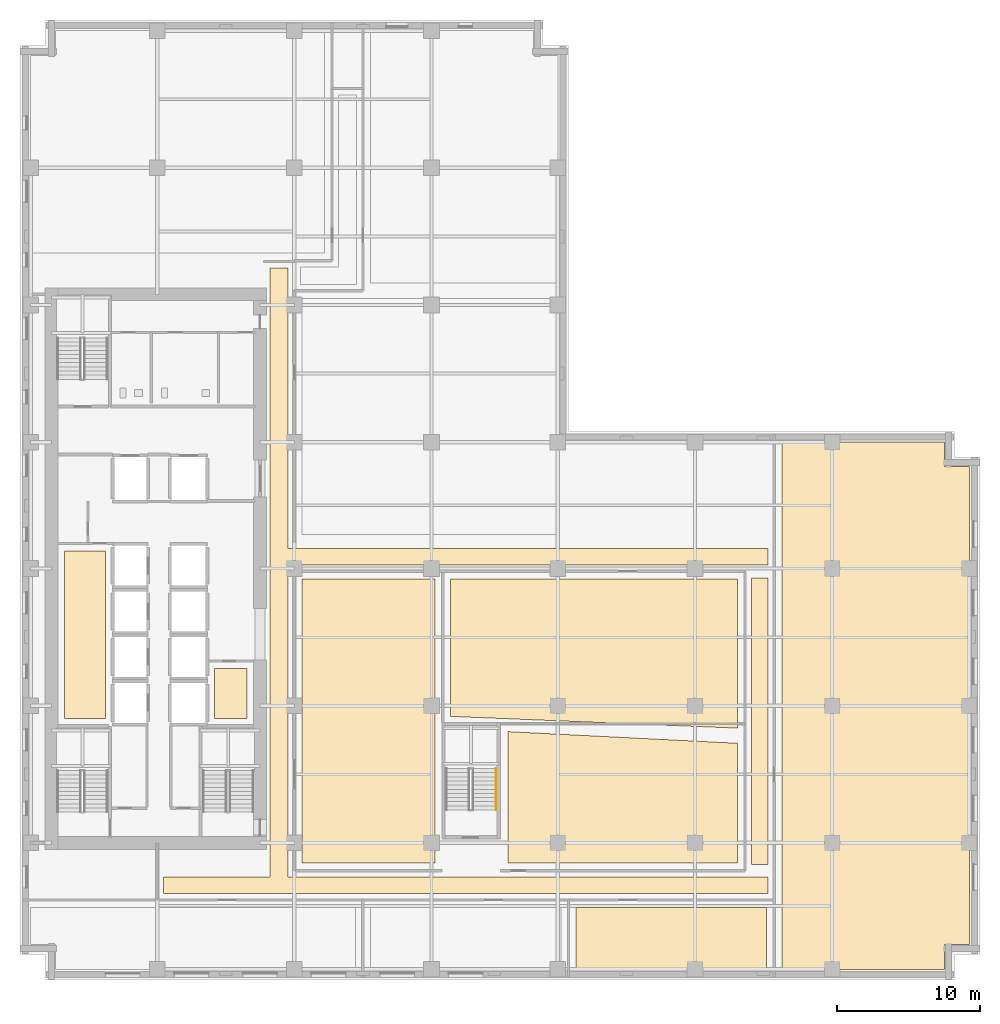
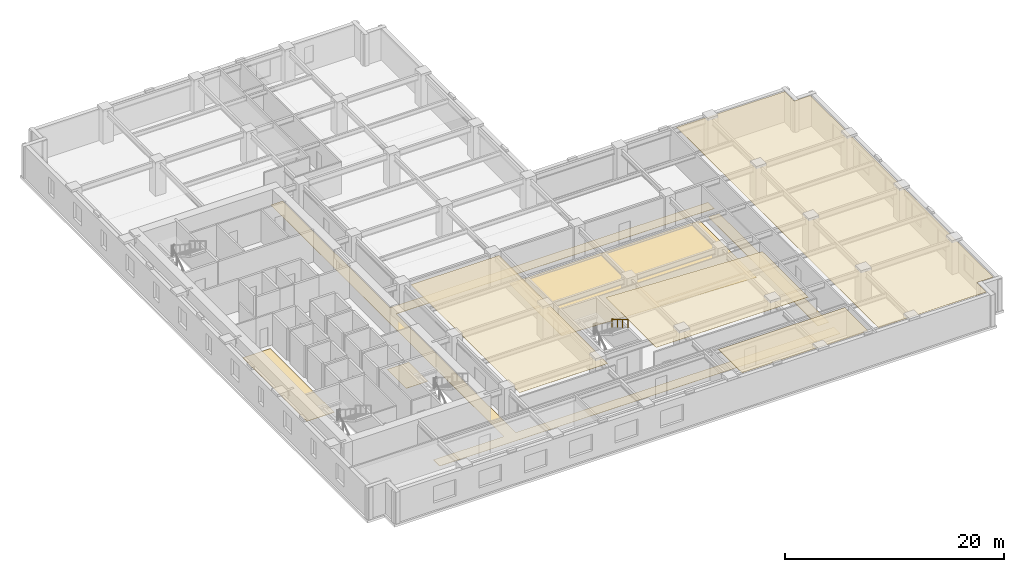
# One storey, part 10 of 13: 9 coverings, 1 railing.
"""IFC4 building model written with IfcOpenShell, lengths in metres."""

from ifc_helpers import new_model, si_unit, direction, frame, origin, origin_2d, place, context, subcontext, project, spatial, polyline, circle, outline, extrude, material, layer, layer_set, type_object, element, save


model = new_model("IFC4")

# Units and contexts
model_context = context("Model", 3, precision=1e-05, world=origin(), true_north=direction((0.0, 1.0)))
body_context = subcontext(model_context, "Body", "Model", "MODEL_VIEW")
ifc_project = project(units=[si_unit("LENGTHUNIT", "METRE"), si_unit("AREAUNIT", "SQUARE_METRE"), si_unit("VOLUMEUNIT", "CUBIC_METRE"), si_unit("PLANEANGLEUNIT", "RADIAN"), si_unit("MASSUNIT", "GRAM", prefix="KILO")], contexts=[model_context])

# Site, building, storey
site_placement = place(None, origin())
site = spatial("IfcSite", under=ifc_project, at=site_placement, CompositionType="ELEMENT")
building_placement = place(site_placement, origin())
building = spatial("IfcBuilding", under=site, at=building_placement, Name="Norrvale University Quadrangle", CompositionType="ELEMENT")
storey_placement = place(building_placement, frame((0.0, 0.0, 69.800048828125)))
storey = spatial("IfcBuildingStorey", under=building, at=storey_placement, Name="L17", CompositionType="ELEMENT", Elevation=69.800048828125)

# Coverings
ifc_material_1 = material(Name="Perforated Acoustic Mineral Ceiling")
ifc_layer_1 = layer(ifc_material_1, 0.02490234375, Name="Perforated Acoustic Mineral Ceiling")
ifc_layer_set_1 = layer_set([ifc_layer_1], Name="Perforated Acoustic Mineral Ceiling")
covering_type_1 = type_object("IfcCoveringType", Name="Covering Acoustic Ceiling 25", PredefinedType="CEILING", material=ifc_layer_set_1)
covering_1_placement = place(storey_placement, frame((0.0, 0.0, 3.514892578125)))
element("IfcCovering", 1, at=covering_1_placement, inside=storey, type_object=covering_type_1, Name="Acoustic Ceiling RM-L17-S03", PredefinedType="CEILING", context=body_context, shape_type="SweptSolid", body=[
    extrude(outline(polyline([(38.929931640625, 5.070068359375), (52.27001953125, 5.070068359375), (52.27001953125, 0.75), (38.929931640625, 0.75), (38.929931640625, 5.070068359375)])), origin(), (0.0, 0.0, 1.0), 0.025146484375),
])
covering_2_placement = place(storey_placement, frame((0.0, 0.0, 3.514892578125)))
element("IfcCovering", 2, at=covering_2_placement, inside=storey, type_object=covering_type_1, Name="Acoustic Ceiling RM-L17-E01", PredefinedType="CEILING", context=body_context, shape_type="SweptSolid", body=[
    extrude(outline(polyline([(53.330078125, 0.75), (53.330078125, 37.64990234375), (64.72998046875, 37.64990234375), (64.72998046875, 35.929931640625), (66.449951171875, 35.929931640625), (66.449951171875, 2.469970703125), (64.72998046875, 2.469970703125), (64.72998046875, 0.75), (53.330078125, 0.75)])), origin(), (0.0, 0.0, 1.0), 0.025146484375),
])
covering_3_placement = place(storey_placement, frame((0.0, 0.0, 3.514892578125)))
element("IfcCovering", 3, at=covering_3_placement, inside=storey, type_object=covering_type_1, Name="Acoustic Ceiling RM-L17-IW1", PredefinedType="CEILING", context=body_context, shape_type="SweptSolid", body=[
    extrude(outline(polyline([(19.72998046875, 8.179931640625), (19.72998046875, 28.070068359375), (29.050048828125, 28.070068359375), (29.050048828125, 8.179931640625), (19.72998046875, 8.179931640625)])), origin(), (0.0, 0.0, 1.0), 0.025146484375),
])
covering_4_placement = place(storey_placement, frame((0.0, 0.0, 3.514892578125)))
element("IfcCovering", 4, at=covering_4_placement, inside=storey, type_object=covering_type_1, Name="Acoustic Ceiling RM-L17-ISE", PredefinedType="CEILING", context=body_context, shape_type="SweptSolid", body=[
    extrude(outline(polyline([(34.14990234375, 8.179931640625), (34.14990234375, 17.386962890625), (50.219970703125, 16.572021484375), (50.219970703125, 8.179931640625), (34.14990234375, 8.179931640625)])), origin(), (0.0, 0.0, 1.0), 0.025146484375),
])
ifc_material_2 = material(Name="Polished Terrazzo Flooring")
ifc_layer_2 = layer(ifc_material_2, 0.02490234375, Name="Polished Terrazzo Flooring")
ifc_layer_set_2 = layer_set([ifc_layer_2], Name="Polished Terrazzo Flooring")
covering_type_2 = type_object("IfcCoveringType", Name="Covering Terrazzo Floor 30", PredefinedType="FLOORING", material=ifc_layer_set_2)
covering_5_placement = place(storey_placement, origin())
element("IfcCovering", 5, at=covering_5_placement, inside=storey, type_object=covering_type_2, Name="Terrazzo Flooring RM-L17-JAN", PredefinedType="FLOORING", context=body_context, shape_type="SweptSolid", body=[
    extrude(outline(polyline([(13.60009765625, 18.300048828125), (13.60009765625, 21.800048828125), (15.89990234375, 21.800048828125), (15.89990234375, 18.300048828125), (13.60009765625, 18.300048828125)])), origin(), (0.0, 0.0, 1.0), 0.02490234375),
])
covering_6_placement = place(storey_placement, origin())
element("IfcCovering", 6, at=covering_6_placement, inside=storey, type_object=covering_type_2, Name="Terrazzo Flooring RM-L17-WSTOR", PredefinedType="FLOORING", context=body_context, shape_type="SweptSolid", body=[
    extrude(outline(polyline([(3.10009765625, 18.300048828125), (3.10009765625, 30.030029296875), (6.0, 30.030029296875), (6.0, 18.300048828125), (3.10009765625, 18.300048828125)])), origin(), (0.0, 0.0, 1.0), 0.02490234375),
])
covering_7_placement = place(storey_placement, origin())
element("IfcCovering", 7, at=covering_7_placement, inside=storey, type_object=covering_type_2, Name="Terrazzo Flooring RM-L17-CORR1", PredefinedType="FLOORING", context=body_context, shape_type="SweptSolid", body=[
    extrude(outline(polyline([(10.050048828125, 6.050048828125), (10.050048828125, 7.199951171875), (17.5, 7.199951171875), (17.5, 49.85009765625), (18.75, 49.85009765625), (18.75, 30.199951171875), (52.35009765625, 30.199951171875), (52.35009765625, 29.050048828125), (18.75, 29.050048828125), (18.75, 7.199951171875), (52.35009765625, 7.199951171875), (52.35009765625, 6.050048828125), (10.050048828125, 6.050048828125)])), origin(), (0.0, 0.0, 1.0), 0.02490234375),
])
covering_8_placement = place(storey_placement, origin())
element("IfcCovering", 8, at=covering_8_placement, inside=storey, type_object=covering_type_2, Name="Terrazzo Flooring RM-L17-CORR2", PredefinedType="FLOORING", context=body_context, shape_type="SweptSolid", body=[
    extrude(outline(polyline([(51.199951171875, 8.10009765625), (51.199951171875, 28.14990234375), (52.35009765625, 28.14990234375), (52.35009765625, 8.10009765625), (51.199951171875, 8.10009765625)])), origin(), (0.0, 0.0, 1.0), 0.02490234375),
])
covering_9_placement = place(storey_placement, origin())
element("IfcCovering", 9, at=covering_9_placement, inside=storey, type_object=covering_type_2, Name="Terrazzo Flooring RM-L17-ILH", PredefinedType="FLOORING", context=body_context, shape_type="SweptSolid", body=[
    extrude(outline(polyline([(30.1298828125, 18.451904296875), (30.1298828125, 28.070068359375), (50.219970703125, 28.070068359375), (50.219970703125, 17.62890625), (30.1298828125, 18.451904296875)])), origin(), (0.0, 0.0, 1.0), 0.02490234375),
])

# Railing
ifc_material_3 = material(Name="Stainless Steel 316L Handrail", Category="steel")
railing_type = type_object("IfcRailingType", Name="Railing Stair Handrail 920", PredefinedType="HANDRAIL", material=ifc_material_3)
railing_placement = place(storey_placement, frame((33.31005859375, 14.800048828125, 2.07275390625)))
element("IfcRailing", 10, at=railing_placement, inside=storey, type_object=railing_type, Name="Stair Upper Flight Handrail ST-04 L17", PredefinedType="HANDRAIL", context=body_context, shape_type="SweptSolid", body=[
    extrude(circle(Radius=0.02392578125, at=origin_2d()), frame((0.0, 0.0, 0.89599609375), z_axis=(0.0, -0.859160404282, 0.51170636083), x_axis=(1.0, 0.0, 0.0)), (0.0, 0.0, 1.0), 3.37548828125),
    extrude(circle(Radius=0.02099609375, at=origin_2d()), origin(), (0.0, 0.0, 1.0), 0.871826171875),
    extrude(circle(Radius=0.02099609375, at=origin_2d()), frame((0.0, -0.966796875, 0.57568359375)), (0.0, 0.0, 1.0), 0.871826171875),
    extrude(circle(Radius=0.02099609375, at=origin_2d()), frame((0.0, -1.933349609375, 1.151611328125)), (0.0, 0.0, 1.0), 0.871826171875),
    extrude(circle(Radius=0.02099609375, at=origin_2d()), frame((0.0, -2.900146484375, 1.727294921875)), (0.0, 0.0, 1.0), 0.871826171875),
])

save(model, "model.ifc")
